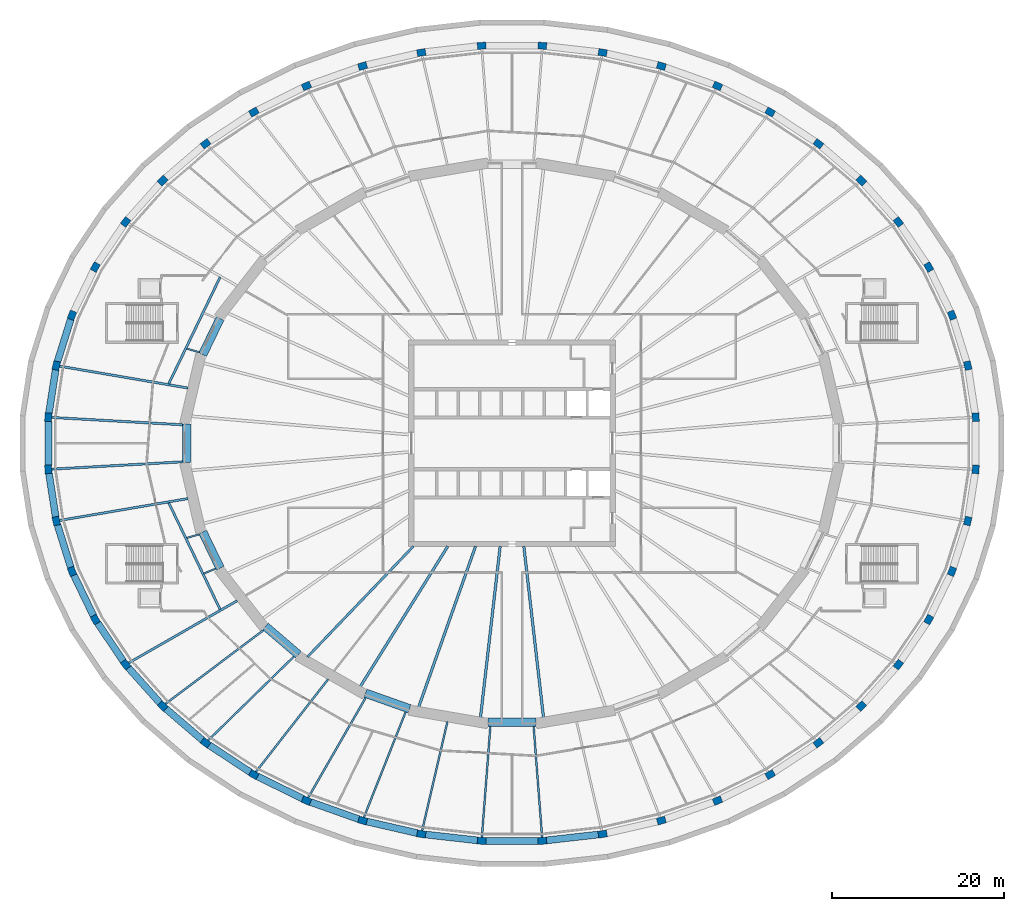
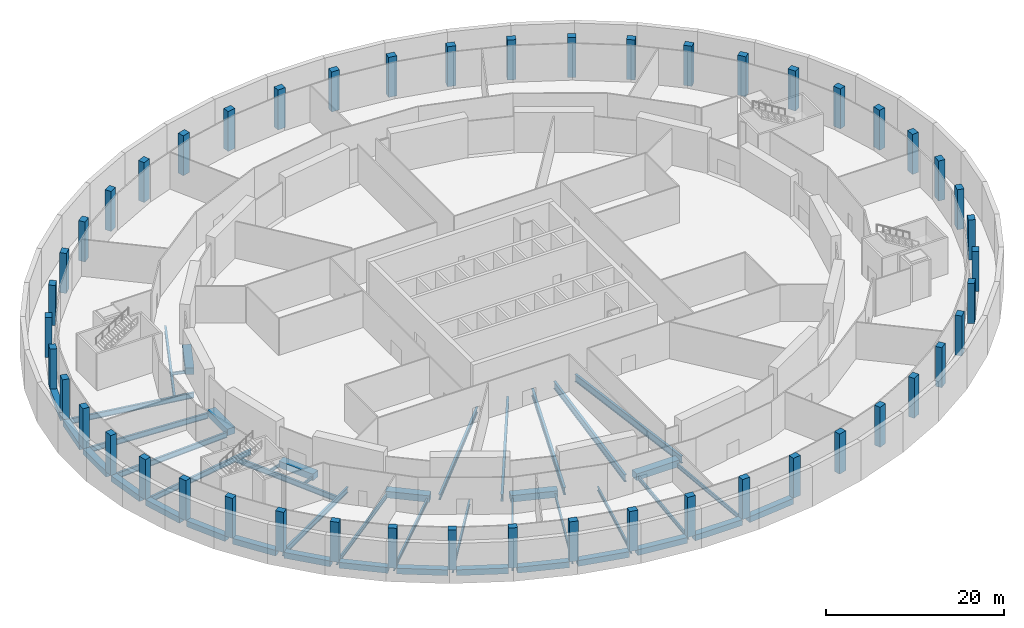
# One storey, part 1 of 14: 48 columns, 45 beams.
"""IFC4 building model written with IfcOpenShell, lengths in metres."""

from ifc_helpers import new_model, si_unit, direction, frame, origin, origin_2d, place, context, subcontext, project, spatial, rectangle, i_section, extrude, material, material_profile, profile_set, type_object, element, save


model = new_model("IFC4")

# Units and contexts
model_context = context("Model", 3, precision=1e-05, world=origin(), true_north=direction((0.0, 1.0)))
body_context = subcontext(model_context, "Body", "Model", "MODEL_VIEW")
ifc_project = project(units=[si_unit("LENGTHUNIT", "METRE"), si_unit("AREAUNIT", "SQUARE_METRE"), si_unit("VOLUMEUNIT", "CUBIC_METRE"), si_unit("PLANEANGLEUNIT", "RADIAN"), si_unit("MASSUNIT", "GRAM", prefix="KILO")], contexts=[model_context])

# Site, building, storey
site_placement = place(None, origin())
site = spatial("IfcSite", under=ifc_project, at=site_placement, CompositionType="ELEMENT")
building_placement = place(site_placement, origin())
building = spatial("IfcBuilding", under=site, at=building_placement, Name="Halqa Exchange Tower", CompositionType="ELEMENT")
storey_placement = place(building_placement, frame((0.0, 0.0, -9.5)))
storey = spatial("IfcBuildingStorey", under=building, at=storey_placement, Name="B2", CompositionType="ELEMENT", Elevation=-9.5)

# Columns
ifc_material_1 = material(Name="Concrete C60/75", Category="concrete")
ifc_material_profile_1 = material_profile(ifc_material_1, rectangle(XDim=1.0, YDim=0.800048828125, at=origin_2d()), Name="1000 x 800")
ifc_profile_set_1 = profile_set([ifc_material_profile_1], Name="Concrete C60/75")
column_type = type_object("IfcColumnType", Name="RC podium ring column 1000 x 800 C60/75", PredefinedType="COLUMN", material=ifc_profile_set_1)
for number, where, z_axis, x_axis, name in (
    (1, (53.884521484375, 3.0283203125, 0.0), (0.0, 0.0, 1.0), (-0.076223065836, 0.997090790367, 0.0), "Podium ring column 1"),
    (2, (52.96240234375, 9.03271484375, 0.0), (0.0, 0.0, 1.0), (-0.22599679145, 0.974128046129, 0.0), "Podium ring column 2"),
    (3, (51.13427734375, 14.882568359375, 0.0), (0.0, 0.0, 1.0), (-0.368109947744, 0.92978226826, 0.0), "Podium ring column 3"),
    (4, (48.43115234375, 20.47802734375, 0.0), (0.0, 0.0, 1.0), (-0.498569440634, 0.866849763723, 0.0), "Podium ring column 4"),
    (5, (44.8994140625, 25.722900390625, 0.0), (0.0, 0.0, 1.0), (-0.614691396063, 0.788767701929, 0.0), "Podium ring column 5"),
    (6, (40.599365234375, 30.527587890625, 0.0), (0.0, 0.0, 1.0), (-0.715039055588, 0.699084507755, 0.0), "Podium ring column 6"),
    (7, (35.604736328125, 34.810302734375, 0.0), (0.0, 0.0, 1.0), (-0.799260046694, 0.600985339055, 0.0), "Podium ring column 7"),
    (8, (30.000732421875, 38.4970703125, 0.0), (0.0, 0.0, 1.0), (-0.867693451459, 0.497099662336, 0.0), "Podium ring column 8"),
    (9, (23.883544921875, 41.525146484375, 0.0), (0.0, 0.0, 1.0), (-0.921048160137, 0.389448695861, 0.0), "Podium ring column 9"),
    (10, (17.357666015625, 43.843017578125, 0.0), (0.0, 0.0, 1.0), (-0.960157717988, 0.27945868494, 0.0), "Podium ring column 10"),
    (11, (10.534912109375, 45.410400390625, 0.0), (0.0, 0.0, 1.0), (-0.985766331194, 0.168121207122, 0.0), "Podium ring column 11"),
    (12, (3.53173828125, 46.200927734375, 0.0), (0.0, 0.0, 1.0), (-0.998424745269, 0.056107290394, 0.0), "Podium ring column 12"),
    (13, (-3.53173828125, 46.200927734375, 0.0), (0.0, 0.0, 1.0), (-0.998424745269, -0.056107290394, 0.0), "Podium ring column 13"),
    (14, (-10.534912109375, 45.410400390625, 0.0), (0.0, 0.0, 1.0), (-0.985766331194, -0.168121207122, 0.0), "Podium ring column 14"),
    (15, (-17.357666015625, 43.843017578125, 0.0), (0.0, 0.0, 1.0), (-0.960157717988, -0.27945868494, 0.0), "Podium ring column 15"),
    (16, (-23.883544921875, 41.525146484375, 0.0), (0.0, 0.0, 1.0), (-0.921048160137, -0.389448695861, 0.0), "Podium ring column 16"),
    (17, (-30.000732421875, 38.4970703125, 0.0), (0.0, 0.0, 1.0), (-0.867693451459, -0.497099662336, 0.0), "Podium ring column 17"),
    (18, (-35.604736328125, 34.810302734375, 0.0), (0.0, 0.0, 1.0), (-0.799260046694, -0.600985339055, 0.0), "Podium ring column 18"),
    (19, (-40.599365234375, 30.527587890625, 0.0), (0.0, 0.0, 1.0), (-0.715039055588, -0.699084507755, 0.0), "Podium ring column 19"),
    (20, (-44.8994140625, 25.722900390625, 0.0), (0.0, 0.0, 1.0), (-0.614691396063, -0.788767701929, 0.0), "Podium ring column 20"),
    (21, (-48.43115234375, 20.47802734375, 0.0), (0.0, 0.0, 1.0), (-0.498569440634, -0.866849763723, 0.0), "Podium ring column 21"),
    (22, (-51.13427734375, 14.882568359375, 0.0), (0.0, 0.0, 1.0), (-0.368109947744, -0.92978226826, 0.0), "Podium ring column 22"),
    (23, (-52.96240234375, 9.03271484375, 0.0), (0.0, 0.0, 1.0), (-0.22599679145, -0.974128046129, 0.0), "Podium ring column 23"),
    (24, (-53.884521484375, 3.0283203125, 0.0), (0.0, 0.0, 1.0), (-0.076223065836, -0.997090790367, 0.0), "Podium ring column 24"),
    (25, (-53.884521484375, -3.0283203125, 0.0), (0.0, 0.0, 1.0), (0.076223065836, -0.997090790367, 0.0), "Podium ring column 25"),
    (26, (-52.96240234375, -9.03271484375, 0.0), (0.0, 0.0, 1.0), (0.22599679145, -0.974128046129, 0.0), "Podium ring column 26"),
    (27, (-51.13427734375, -14.882568359375, 0.0), (0.0, 0.0, 1.0), (0.368109947744, -0.92978226826, 0.0), "Podium ring column 27"),
    (28, (-48.43115234375, -20.47802734375, 0.0), (0.0, 0.0, 1.0), (0.498569440634, -0.866849763723, 0.0), "Podium ring column 28"),
    (29, (-44.8994140625, -25.722900390625, 0.0), (0.0, 0.0, 1.0), (0.614691396063, -0.788767701929, 0.0), "Podium ring column 29"),
    (30, (-40.599365234375, -30.527587890625, 0.0), (0.0, 0.0, 1.0), (0.715039055588, -0.699084507755, 0.0), "Podium ring column 30"),
    (31, (-35.604736328125, -34.810302734375, 0.0), (0.0, 0.0, 1.0), (0.799260046694, -0.600985339055, 0.0), "Podium ring column 31"),
    (32, (-30.000732421875, -38.4970703125, 0.0), (0.0, 0.0, 1.0), (0.867693451459, -0.497099662336, 0.0), "Podium ring column 32"),
    (33, (-23.883544921875, -41.525146484375, 0.0), (0.0, 0.0, 1.0), (0.921048160137, -0.389448695861, 0.0), "Podium ring column 33"),
    (34, (-17.357666015625, -43.843017578125, 0.0), (0.0, 0.0, 1.0), (0.960157717988, -0.27945868494, 0.0), "Podium ring column 34"),
    (35, (-10.534912109375, -45.410400390625, 0.0), (0.0, 0.0, 1.0), (0.985766331194, -0.168121207122, 0.0), "Podium ring column 35"),
    (36, (-3.53173828125, -46.200927734375, 0.0), (0.0, 0.0, 1.0), (0.998424745269, -0.056107290394, 0.0), "Podium ring column 36"),
    (37, (3.53173828125, -46.200927734375, 0.0), (0.0, 0.0, 1.0), (0.998424745269, 0.056107290394, 0.0), "Podium ring column 37"),
    (38, (10.534912109375, -45.410400390625, 0.0), (0.0, 0.0, 1.0), (0.985766331194, 0.168121207122, 0.0), "Podium ring column 38"),
    (39, (17.357666015625, -43.843017578125, 0.0), (0.0, 0.0, 1.0), (0.960157717988, 0.27945868494, 0.0), "Podium ring column 39"),
    (40, (23.883544921875, -41.525146484375, 0.0), (0.0, 0.0, 1.0), (0.921048160137, 0.389448695861, 0.0), "Podium ring column 40"),
    (41, (30.000732421875, -38.4970703125, 0.0), (0.0, 0.0, 1.0), (0.867693451459, 0.497099662336, 0.0), "Podium ring column 41"),
    (42, (35.604736328125, -34.810302734375, 0.0), (0.0, 0.0, 1.0), (0.799260046694, 0.600985339055, 0.0), "Podium ring column 42"),
    (43, (40.599365234375, -30.527587890625, 0.0), (0.0, 0.0, 1.0), (0.715039055588, 0.699084507755, 0.0), "Podium ring column 43"),
    (44, (44.8994140625, -25.722900390625, 0.0), (0.0, 0.0, 1.0), (0.614691396063, 0.788767701929, 0.0), "Podium ring column 44"),
    (45, (48.43115234375, -20.47802734375, 0.0), (0.0, 0.0, 1.0), (0.498569440634, 0.866849763723, 0.0), "Podium ring column 45"),
    (46, (51.13427734375, -14.882568359375, 0.0), (0.0, 0.0, 1.0), (0.368109947744, 0.92978226826, 0.0), "Podium ring column 46"),
    (47, (52.96240234375, -9.03271484375, 0.0), (0.0, 0.0, 1.0), (0.22599679145, 0.974128046129, 0.0), "Podium ring column 47"),
    (48, (53.884521484375, -3.0283203125, 0.0), (0.0, 0.0, 1.0), (0.076223065836, 0.997090790367, 0.0), "Podium ring column 48"),
):
    element("IfcColumn", number, at=place(storey_placement, frame(where, z_axis=z_axis, x_axis=x_axis)), inside=storey, type_object=column_type, Name=name, PredefinedType="COLUMN", context=body_context, shape_type="SweptSolid", body=[
        extrude(rectangle(XDim=1.0, YDim=0.800048828125, at=origin_2d()), origin(), (0.0, 0.0, 1.0), 5.5),
    ])

# Beams
ifc_material_2 = material(Name="Steel S355", Category="steel")
ifc_material_profile_2 = material_profile(ifc_material_2, i_section(OverallWidth=0.300048828125, OverallDepth=0.989990234375, WebThickness=0.0166015625, FlangeThickness=0.031005859375, FilletRadius=0.030029296875, at=origin_2d()), Name="HEA 1000")
ifc_profile_set_2 = profile_set([ifc_material_profile_2], Name="Steel S355")
beam_type_1 = type_object("IfcBeamType", Name="Floor beam HEA 1000", PredefinedType="BEAM", material=ifc_profile_set_2)
beam_1_placement = place(storey_placement, frame((-7.46533203125, -11.971435546875, -0.844970703125), z_axis=(-0.529145823441, -0.848530905468, 0.0), x_axis=(0.848530905468, -0.529145823441, 0.0)))
element("IfcBeam", 49, at=beam_1_placement, inside=storey, type_object=beam_type_1, Name="Radial beam 22", PredefinedType="BEAM", context=body_context, shape_type="SweptSolid", body=[
    extrude(i_section(OverallWidth=0.300048828125, OverallDepth=0.989990234375, WebThickness=0.0166015625, FlangeThickness=0.031005859375, FilletRadius=0.030029296875, at=origin_2d()), origin(), (0.0, 0.0, 1.0), 19.27294921875),
])
ifc_material_profile_3 = material_profile(ifc_material_2, i_section(OverallWidth=0.300048828125, OverallDepth=1.0, WebThickness=0.01904296875, FlangeThickness=0.035888671875, FilletRadius=0.030029296875, at=origin_2d()), Name="HEB 1000")
ifc_profile_set_3 = profile_set([ifc_material_profile_3], Name="Steel S355")
beam_type_2 = type_object("IfcBeamType", Name="Floor beam HEB 1000", PredefinedType="BEAM", material=ifc_profile_set_3)
beam_2_placement = place(storey_placement, frame((-4.23681640625, -11.971923828125, -0.85009765625), z_axis=(-0.333633039334, -0.942703025913, 0.0), x_axis=(0.942703025913, -0.333633039334, 0.0)))
element("IfcBeam", 50, at=beam_2_placement, inside=storey, type_object=beam_type_2, Name="Radial beam 23", PredefinedType="BEAM", context=body_context, shape_type="SweptSolid", body=[
    extrude(i_section(OverallWidth=0.300048828125, OverallDepth=1.0, WebThickness=0.01904296875, FlangeThickness=0.035888671875, FilletRadius=0.030029296875, at=origin_2d()), origin(), (0.0, 0.0, 1.0), 19.885009765625),
])
for number, where, z_axis, x_axis, name in (
    (51, (-1.375732421875, -11.972900390625, -0.85009765625), (-0.114166838833, -0.99346159106, 0.0), (0.99346159106, -0.114166838833, 0.0), "Radial beam 24"),
    (52, (1.375732421875, -11.972900390625, -0.85009765625), (0.114166838833, -0.99346159106, 0.0), (0.99346159106, 0.114166838833, 0.0), "Radial beam 25"),
):
    element("IfcBeam", number, at=place(storey_placement, frame(where, z_axis=z_axis, x_axis=x_axis)), inside=storey, type_object=beam_type_2, Name=name, PredefinedType="BEAM", context=body_context, shape_type="SweptSolid", body=[
        extrude(i_section(OverallWidth=0.300048828125, OverallDepth=1.0, WebThickness=0.01904296875, FlangeThickness=0.035888671875, FilletRadius=0.030029296875, at=origin_2d()), origin(), (0.0, 0.0, 1.0), 20.103515625),
    ])
ifc_material_profile_4 = material_profile(ifc_material_2, i_section(OverallWidth=0.179931640625, OverallDepth=0.39990234375, WebThickness=0.008544921875, FlangeThickness=0.013427734375, FilletRadius=0.02099609375, at=origin_2d()), Name="IPE 400")
ifc_profile_set_4 = profile_set([ifc_material_profile_4], Name="Steel S355")
beam_type_3 = type_object("IfcBeamType", Name="Floor beam IPE 400", PredefinedType="BEAM", material=ifc_profile_set_4)
for number, where, z_axis, x_axis, name in (
    (53, (-36.34521484375, 10.578369140625, -0.550048828125), (-0.960174163417, 0.279402175917, 0.0), (-0.279402175917, -0.960174163417, 0.0), "Radial beam 22a"),
    (54, (-36.34521484375, -10.578369140625, -0.550048828125), (-0.960174163417, -0.279402175917, 0.0), (0.279402175917, -0.960174163417, 0.0), "Radial beam 27a"),
):
    element("IfcBeam", number, at=place(storey_placement, frame(where, z_axis=z_axis, x_axis=x_axis)), inside=storey, type_object=beam_type_3, Name=name, PredefinedType="BEAM", context=body_context, shape_type="SweptSolid", body=[
        extrude(i_section(OverallWidth=0.179931640625, OverallDepth=0.39990234375, WebThickness=0.008544921875, FlangeThickness=0.013427734375, FilletRadius=0.02099609375, at=origin_2d()), origin(), (0.0, 0.0, 1.0), 1.521240234375),
    ])
beam_3_placement = place(storey_placement, frame((-34.423583984375, -14.555419921875, -0.550048828125), z_axis=(-0.921076708702, -0.389381171459, 0.0), x_axis=(0.389381171459, -0.921076708702, 0.0)))
element("IfcBeam", 55, at=beam_3_placement, inside=storey, type_object=beam_type_3, Name="Radial beam 28a", PredefinedType="BEAM", context=body_context, shape_type="SweptSolid", body=[
    extrude(i_section(OverallWidth=0.179931640625, OverallDepth=0.39990234375, WebThickness=0.008544921875, FlangeThickness=0.013427734375, FilletRadius=0.02099609375, at=origin_2d()), origin(), (0.0, 0.0, 1.0), 1.5078125),
])
ifc_material_profile_5 = material_profile(ifc_material_2, i_section(OverallWidth=0.2099609375, OverallDepth=0.550048828125, WebThickness=0.010986328125, FlangeThickness=0.01708984375, FilletRadius=0.02392578125, at=origin_2d()), Name="IPE 550")
ifc_profile_set_5 = profile_set([ifc_material_profile_5], Name="Steel S355")
beam_type_4 = type_object("IfcBeamType", Name="Floor beam IPE 550", PredefinedType="BEAM", material=ifc_profile_set_5)
beam_4_placement = place(storey_placement, frame((-12.352294921875, -31.2001953125, -0.625), z_axis=(-0.368106640822, -0.929783577497, 0.0), x_axis=(0.929783577497, -0.368106640822, 0.0)))
element("IfcBeam", 56, at=beam_4_placement, inside=storey, type_object=beam_type_4, Name="Radial beam 34", PredefinedType="BEAM", context=body_context, shape_type="SweptSolid", body=[
    extrude(i_section(OverallWidth=0.2099609375, OverallDepth=0.550048828125, WebThickness=0.010986328125, FlangeThickness=0.01708984375, FilletRadius=0.02392578125, at=origin_2d()), origin(), (0.0, 0.0, 1.0), 13.22412109375),
])
beam_5_placement = place(storey_placement, frame((-7.5048828125, -32.35009765625, -0.625), z_axis=(-0.2259960959, -0.974128207495, 0.0), x_axis=(0.974128207495, -0.2259960959, 0.0)))
element("IfcBeam", 57, at=beam_5_placement, inside=storey, type_object=beam_type_4, Name="Radial beam 35", PredefinedType="BEAM", context=body_context, shape_type="SweptSolid", body=[
    extrude(i_section(OverallWidth=0.2099609375, OverallDepth=0.550048828125, WebThickness=0.010986328125, FlangeThickness=0.01708984375, FilletRadius=0.02392578125, at=origin_2d()), origin(), (0.0, 0.0, 1.0), 13.03466796875),
])
for number, where, z_axis, x_axis, name in (
    (58, (-2.513916015625, -32.88623046875, -0.625), (-0.076223337155, -0.997090769626, 0.0), (0.997090769626, -0.076223337155, 0.0), "Radial beam 36"),
    (59, (2.513916015625, -32.88623046875, -0.625), (0.076223337155, -0.997090769626, 0.0), (0.997090769626, 0.076223337155, 0.0), "Radial beam 37"),
):
    element("IfcBeam", number, at=place(storey_placement, frame(where, z_axis=z_axis, x_axis=x_axis)), inside=storey, type_object=beam_type_4, Name=name, PredefinedType="BEAM", context=body_context, shape_type="SweptSolid", body=[
        extrude(i_section(OverallWidth=0.2099609375, OverallDepth=0.550048828125, WebThickness=0.010986328125, FlangeThickness=0.01708984375, FilletRadius=0.02392578125, at=origin_2d()), origin(), (0.0, 0.0, 1.0), 12.981689453125),
    ])
ifc_material_profile_6 = material_profile(ifc_material_2, i_section(OverallWidth=0.219970703125, OverallDepth=0.60009765625, WebThickness=0.011962890625, FlangeThickness=0.01904296875, FilletRadius=0.02392578125, at=origin_2d()), Name="IPE 600")
ifc_profile_set_6 = profile_set([ifc_material_profile_6], Name="Steel S355")
beam_type_5 = type_object("IfcBeamType", Name="Floor beam IPE 600", PredefinedType="BEAM", material=ifc_profile_set_6)
beam_6_placement = place(storey_placement, frame((-28.875732421875, -21.71240234375, -0.64990234375), z_axis=(-0.799257291391, -0.600989003359, 0.0), x_axis=(0.600989003359, -0.799257291391, 0.0)))
element("IfcBeam", 60, at=beam_6_placement, inside=storey, type_object=beam_type_5, Name="Radial beam 30", PredefinedType="BEAM", context=body_context, shape_type="SweptSolid", body=[
    extrude(i_section(OverallWidth=0.219970703125, OverallDepth=0.60009765625, WebThickness=0.011962890625, FlangeThickness=0.01904296875, FilletRadius=0.02392578125, at=origin_2d()), origin(), (0.0, 0.0, 1.0), 14.291259765625),
])
beam_7_placement = place(storey_placement, frame((-25.322265625, -24.757080078125, -0.64990234375), z_axis=(-0.715038042334, -0.699085544133, 0.0), x_axis=(0.699085544133, -0.715038042334, 0.0)))
element("IfcBeam", 61, at=beam_7_placement, inside=storey, type_object=beam_type_5, Name="Radial beam 31", PredefinedType="BEAM", context=body_context, shape_type="SweptSolid", body=[
    extrude(i_section(OverallWidth=0.219970703125, OverallDepth=0.60009765625, WebThickness=0.011962890625, FlangeThickness=0.01904296875, FilletRadius=0.02392578125, at=origin_2d()), origin(), (0.0, 0.0, 1.0), 14.00341796875),
])
beam_8_placement = place(storey_placement, frame((-21.3603515625, -27.40966796875, -0.64990234375), z_axis=(-0.614701342153, -0.78875995078, 0.0), x_axis=(0.78875995078, -0.614701342153, 0.0)))
element("IfcBeam", 62, at=beam_8_placement, inside=storey, type_object=beam_type_5, Name="Radial beam 32", PredefinedType="BEAM", context=body_context, shape_type="SweptSolid", body=[
    extrude(i_section(OverallWidth=0.219970703125, OverallDepth=0.60009765625, WebThickness=0.011962890625, FlangeThickness=0.01904296875, FilletRadius=0.02392578125, at=origin_2d()), origin(), (0.0, 0.0, 1.0), 13.681396484375),
])
beam_9_placement = place(storey_placement, frame((-16.996826171875, -29.551513671875, -0.64990234375), z_axis=(-0.498570786865, -0.866848989435, 0.0), x_axis=(0.866848989435, -0.498570786865, 0.0)))
element("IfcBeam", 63, at=beam_9_placement, inside=storey, type_object=beam_type_5, Name="Radial beam 33", PredefinedType="BEAM", context=body_context, shape_type="SweptSolid", body=[
    extrude(i_section(OverallWidth=0.219970703125, OverallDepth=0.60009765625, WebThickness=0.011962890625, FlangeThickness=0.01904296875, FilletRadius=0.02392578125, at=origin_2d()), origin(), (0.0, 0.0, 1.0), 13.438720703125),
])
ifc_material_profile_7 = material_profile(ifc_material_2, i_section(OverallWidth=0.264892578125, OverallDepth=0.7529296875, WebThickness=0.01318359375, FlangeThickness=0.01708984375, FilletRadius=0.01708984375, at=origin_2d()), Name="IPE 750x147")
ifc_profile_set_7 = profile_set([ifc_material_profile_7], Name="Steel S355")
beam_type_6 = type_object("IfcBeamType", Name="Floor beam IPE 750x147", PredefinedType="BEAM", material=ifc_profile_set_7)
beam_10_placement = place(storey_placement, frame((-37.654296875, 6.421875, -0.7265625), z_axis=(-0.985764762639, 0.168130403968, 0.0), x_axis=(-0.168130403968, -0.985764762639, 0.0)))
element("IfcBeam", 64, at=beam_10_placement, inside=storey, type_object=beam_type_6, Name="Radial beam 23", PredefinedType="BEAM", context=body_context, shape_type="SweptSolid", body=[
    extrude(i_section(OverallWidth=0.264892578125, OverallDepth=0.7529296875, WebThickness=0.01318359375, FlangeThickness=0.01708984375, FilletRadius=0.01708984375, at=origin_2d()), origin(), (0.0, 0.0, 1.0), 15.156982421875),
])
for number, where, z_axis, x_axis, name in (
    (65, (-38.2880859375, 2.151611328125, -0.7265625), (-0.998424130563, 0.056118227964, 0.0), (-0.056118227964, -0.998424130563, 0.0), "Radial beam 24"),
    (66, (-38.2880859375, -2.151611328125, -0.7265625), (-0.998424130563, -0.056118227964, 0.0), (0.056118227964, -0.998424130563, 0.0), "Radial beam 25"),
):
    element("IfcBeam", number, at=place(storey_placement, frame(where, z_axis=z_axis, x_axis=x_axis)), inside=storey, type_object=beam_type_6, Name=name, PredefinedType="BEAM", context=body_context, shape_type="SweptSolid", body=[
        extrude(i_section(OverallWidth=0.264892578125, OverallDepth=0.7529296875, WebThickness=0.01318359375, FlangeThickness=0.01708984375, FilletRadius=0.01708984375, at=origin_2d()), origin(), (0.0, 0.0, 1.0), 15.248291015625),
    ])
beam_11_placement = place(storey_placement, frame((-37.654296875, -6.421875, -0.7265625), z_axis=(-0.985764762639, -0.168130403968, 0.0), x_axis=(0.168130403968, -0.985764762639, 0.0)))
element("IfcBeam", 67, at=beam_11_placement, inside=storey, type_object=beam_type_6, Name="Radial beam 26", PredefinedType="BEAM", context=body_context, shape_type="SweptSolid", body=[
    extrude(i_section(OverallWidth=0.264892578125, OverallDepth=0.7529296875, WebThickness=0.01318359375, FlangeThickness=0.01708984375, FilletRadius=0.01708984375, at=origin_2d()), origin(), (0.0, 0.0, 1.0), 15.156982421875),
])
beam_12_placement = place(storey_placement, frame((-31.942626953125, -18.300048828125, -0.7265625), z_axis=(-0.867691436398, -0.497103179633, 0.0), x_axis=(0.497103179633, -0.867691436398, 0.0)))
element("IfcBeam", 68, at=beam_12_placement, inside=storey, type_object=beam_type_6, Name="Radial beam 29", PredefinedType="BEAM", context=body_context, shape_type="SweptSolid", body=[
    extrude(i_section(OverallWidth=0.264892578125, OverallDepth=0.7529296875, WebThickness=0.01318359375, FlangeThickness=0.01708984375, FilletRadius=0.01708984375, at=origin_2d()), origin(), (0.0, 0.0, 1.0), 14.555908203125),
])
for number, where, z_axis, x_axis, name in (
    (69, (-33.92041015625, 19.3134765625, -0.7265625), (-0.433856142987, -0.900982156978, 0.0), (0.900982156978, -0.433856142987, 0.0), "Radial beam TSS3-in"),
    (70, (-39.89306640625, -6.91015625, -0.7265625), (0.433856142987, -0.900982156978, 0.0), (0.900982156978, 0.433856142987, 0.0), "Radial beam TSS4-in"),
):
    element("IfcBeam", number, at=place(storey_placement, frame(where, z_axis=z_axis, x_axis=x_axis)), inside=storey, type_object=beam_type_6, Name=name, PredefinedType="BEAM", context=body_context, shape_type="SweptSolid", body=[
        extrude(i_section(OverallWidth=0.264892578125, OverallDepth=0.7529296875, WebThickness=0.01318359375, FlangeThickness=0.01708984375, FilletRadius=0.01708984375, at=origin_2d()), origin(), (0.0, 0.0, 1.0), 13.766357421875),
    ])
ifc_material_profile_8 = material_profile(ifc_material_2, i_section(OverallWidth=0.26806640625, OverallDepth=0.77001953125, WebThickness=0.015625, FlangeThickness=0.025390625, FilletRadius=0.01708984375, at=origin_2d()), Name="IPE 750x196")
ifc_profile_set_8 = profile_set([ifc_material_profile_8], Name="Steel S355")
beam_type_7 = type_object("IfcBeamType", Name="Floor beam IPE 750x196", PredefinedType="BEAM", material=ifc_profile_set_8)
beam_13_placement = place(storey_placement, frame((-11.46240234375, -11.9716796875, -0.735107421875), z_axis=(-0.6915763718, -0.722303344841, 0.0), x_axis=(0.722303344841, -0.6915763718, 0.0)))
element("IfcBeam", 71, at=beam_13_placement, inside=storey, type_object=beam_type_7, Name="Radial beam 21", PredefinedType="BEAM", context=body_context, shape_type="SweptSolid", body=[
    extrude(i_section(OverallWidth=0.26806640625, OverallDepth=0.77001953125, WebThickness=0.015625, FlangeThickness=0.025390625, FilletRadius=0.01708984375, at=origin_2d()), origin(), (0.0, 0.0, 1.0), 17.7978515625),
])
ifc_material_profile_9 = material_profile(ifc_material_1, rectangle(XDim=0.800048828125, YDim=0.800048828125, at=origin_2d()), Name="800 x 800")
ifc_profile_set_9 = profile_set([ifc_material_profile_9], Name="Concrete C60/75")
beam_type_8 = type_object("IfcBeamType", Name="RC podium edge beam 800 x 800 C60/75", PredefinedType="SPANDREL", material=ifc_profile_set_9)
beam_14_placement = place(storey_placement, frame((-51.275390625, 14.430419921875, -0.39990234375), z_axis=(-0.298331338153, -0.954462368392, 0.0), x_axis=(0.954462368392, -0.298331338153, 0.0)))
element("IfcBeam", 72, at=beam_14_placement, inside=storey, type_object=beam_type_8, Name="Podium edge beam 22", PredefinedType="SPANDREL", context=body_context, shape_type="SweptSolid", body=[
    extrude(rectangle(XDim=0.800048828125, YDim=0.800048828125, at=origin_2d()), origin(), (0.0, 0.0, 1.0), 5.180908203125),
])
beam_15_placement = place(storey_placement, frame((-53.0341796875, 8.56591796875, -0.39990234375), z_axis=(-0.151767505705, -0.988416220128, 0.0), x_axis=(0.988416220128, -0.151767505705, 0.0)))
element("IfcBeam", 73, at=beam_15_placement, inside=storey, type_object=beam_type_8, Name="Podium edge beam 23", PredefinedType="SPANDREL", context=body_context, shape_type="SweptSolid", body=[
    extrude(rectangle(XDim=0.800048828125, YDim=0.800048828125, at=origin_2d()), origin(), (0.0, 0.0, 1.0), 5.1298828125),
])
beam_16_placement = place(storey_placement, frame((-53.884521484375, 2.5556640625, -0.39990234375), z_axis=(0.0, -1.0, 0.0), x_axis=(1.0, 0.0, 0.0)))
element("IfcBeam", 74, at=beam_16_placement, inside=storey, type_object=beam_type_8, Name="Podium edge beam 24", PredefinedType="SPANDREL", context=body_context, shape_type="SweptSolid", body=[
    extrude(rectangle(XDim=0.800048828125, YDim=0.800048828125, at=origin_2d()), origin(), (0.0, 0.0, 1.0), 5.111328125),
])
beam_17_placement = place(storey_placement, frame((-53.812744140625, -3.495361328125, -0.39990234375), z_axis=(0.151767505705, -0.988416220128, 0.0), x_axis=(0.988416220128, 0.151767505705, 0.0)))
element("IfcBeam", 75, at=beam_17_placement, inside=storey, type_object=beam_type_8, Name="Podium edge beam 25", PredefinedType="SPANDREL", context=body_context, shape_type="SweptSolid", body=[
    extrude(rectangle(XDim=0.800048828125, YDim=0.800048828125, at=origin_2d()), origin(), (0.0, 0.0, 1.0), 5.1298828125),
])
beam_18_placement = place(storey_placement, frame((-52.821044921875, -9.4853515625, -0.39990234375), z_axis=(0.298331338153, -0.954462368392, 0.0), x_axis=(0.954462368392, 0.298331338153, 0.0)))
element("IfcBeam", 76, at=beam_18_placement, inside=storey, type_object=beam_type_8, Name="Podium edge beam 26", PredefinedType="SPANDREL", context=body_context, shape_type="SweptSolid", body=[
    extrude(rectangle(XDim=0.800048828125, YDim=0.800048828125, at=origin_2d()), origin(), (0.0, 0.0, 1.0), 5.180908203125),
])
beam_19_placement = place(storey_placement, frame((-50.92822265625, -15.308837890625, -0.39990234375), z_axis=(0.43497328232, -0.9004433595, 0.0), x_axis=(0.9004433595, 0.43497328232, 0.0)))
element("IfcBeam", 77, at=beam_19_placement, inside=storey, type_object=beam_type_8, Name="Podium edge beam 27", PredefinedType="SPANDREL", context=body_context, shape_type="SweptSolid", body=[
    extrude(rectangle(XDim=0.800048828125, YDim=0.800048828125, at=origin_2d()), origin(), (0.0, 0.0, 1.0), 5.267578125),
])
beam_20_placement = place(storey_placement, frame((-48.1669921875, -20.8701171875, -0.39990234375), z_axis=(0.558528358221, -0.829485426673, 0.0), x_axis=(0.829485426673, 0.558528358221, 0.0)))
element("IfcBeam", 78, at=beam_20_placement, inside=storey, type_object=beam_type_8, Name="Podium edge beam 28", PredefinedType="SPANDREL", context=body_context, shape_type="SweptSolid", body=[
    extrude(rectangle(XDim=0.800048828125, YDim=0.800048828125, at=origin_2d()), origin(), (0.0, 0.0, 1.0), 5.378173828125),
])
beam_21_placement = place(storey_placement, frame((-44.58349609375, -26.075927734375, -0.39990234375), z_axis=(0.666902525907, -0.745144966392, 0.0), x_axis=(0.745144966392, 0.666902525907, 0.0)))
element("IfcBeam", 79, at=beam_21_placement, inside=storey, type_object=beam_type_8, Name="Podium edge beam 29", PredefinedType="SPANDREL", context=body_context, shape_type="SweptSolid", body=[
    extrude(rectangle(XDim=0.800048828125, YDim=0.800048828125, at=origin_2d()), origin(), (0.0, 0.0, 1.0), 5.501220703125),
])
beam_22_placement = place(storey_placement, frame((-40.240478515625, -30.83544921875, -0.39990234375), z_axis=(0.759174010844, -0.650887717859, 0.0), x_axis=(0.650887717859, 0.759174010844, 0.0)))
element("IfcBeam", 80, at=beam_22_placement, inside=storey, type_object=beam_type_8, Name="Podium edge beam 30", PredefinedType="SPANDREL", context=body_context, shape_type="SweptSolid", body=[
    extrude(rectangle(XDim=0.800048828125, YDim=0.800048828125, at=origin_2d()), origin(), (0.0, 0.0, 1.0), 5.63427734375),
])
beam_23_placement = place(storey_placement, frame((-35.208984375, -35.070556640625, -0.39990234375), z_axis=(0.835418618456, -0.549614166426, 0.0), x_axis=(0.549614166426, 0.835418618456, 0.0)))
element("IfcBeam", 81, at=beam_23_placement, inside=storey, type_object=beam_type_8, Name="Podium edge beam 31", PredefinedType="SPANDREL", context=body_context, shape_type="SweptSolid", body=[
    extrude(rectangle(XDim=0.800048828125, YDim=0.800048828125, at=origin_2d()), origin(), (0.0, 0.0, 1.0), 5.760986328125),
])
beam_24_placement = place(storey_placement, frame((-29.576904296875, -38.706787109375, -0.39990234375), z_axis=(0.896205416004, -0.443639326847, 0.0), x_axis=(0.443639326847, 0.896205416004, 0.0)))
element("IfcBeam", 82, at=beam_24_placement, inside=storey, type_object=beam_type_8, Name="Podium edge beam 32", PredefinedType="SPANDREL", context=body_context, shape_type="SweptSolid", body=[
    extrude(rectangle(XDim=0.800048828125, YDim=0.800048828125, at=origin_2d()), origin(), (0.0, 0.0, 1.0), 5.880126953125),
])
beam_25_placement = place(storey_placement, frame((-23.4384765625, -41.683349609375, -0.39990234375), z_axis=(0.942343471221, -0.334647250469, 0.0), x_axis=(0.334647250469, 0.942343471221, 0.0)))
element("IfcBeam", 83, at=beam_25_placement, inside=storey, type_object=beam_type_8, Name="Podium edge beam 33", PredefinedType="SPANDREL", context=body_context, shape_type="SweptSolid", body=[
    extrude(rectangle(XDim=0.800048828125, YDim=0.800048828125, at=origin_2d()), origin(), (0.0, 0.0, 1.0), 5.980712890625),
])
beam_26_placement = place(storey_placement, frame((-16.89794921875, -43.948486328125, -0.39990234375), z_axis=(0.974604133477, -0.223934774008, 0.0), x_axis=(0.223934774008, 0.974604133477, 0.0)))
element("IfcBeam", 84, at=beam_26_placement, inside=storey, type_object=beam_type_8, Name="Podium edge beam 34", PredefinedType="SPANDREL", context=body_context, shape_type="SweptSolid", body=[
    extrude(rectangle(XDim=0.800048828125, YDim=0.800048828125, at=origin_2d()), origin(), (0.0, 0.0, 1.0), 6.05517578125),
])
beam_27_placement = place(storey_placement, frame((-10.064453125, -45.46337890625, -0.39990234375), z_axis=(0.993688954696, -0.112170679393, 0.0), x_axis=(0.112170679393, 0.993688954696, 0.0)))
element("IfcBeam", 85, at=beam_27_placement, inside=storey, type_object=beam_type_8, Name="Podium edge beam 35", PredefinedType="SPANDREL", context=body_context, shape_type="SweptSolid", body=[
    extrude(rectangle(XDim=0.800048828125, YDim=0.800048828125, at=origin_2d()), origin(), (0.0, 0.0, 1.0), 6.100830078125),
])
beam_28_placement = place(storey_placement, frame((-3.05859375, -46.200927734375, -0.39990234375), z_axis=(1.0, 0.0, 0.0), x_axis=(0.0, 1.0, 0.0)))
element("IfcBeam", 86, at=beam_28_placement, inside=storey, type_object=beam_type_8, Name="Podium edge beam 36", PredefinedType="SPANDREL", context=body_context, shape_type="SweptSolid", body=[
    extrude(rectangle(XDim=0.800048828125, YDim=0.800048828125, at=origin_2d()), origin(), (0.0, 0.0, 1.0), 6.1171875),
])
beam_29_placement = place(storey_placement, frame((4.002197265625, -46.147705078125, -0.39990234375), z_axis=(0.993688954696, 0.112170679393, 0.0), x_axis=(-0.112170679393, 0.993688954696, 0.0)))
element("IfcBeam", 87, at=beam_29_placement, inside=storey, type_object=beam_type_8, Name="Podium edge beam 37", PredefinedType="SPANDREL", context=body_context, shape_type="SweptSolid", body=[
    extrude(rectangle(XDim=0.800048828125, YDim=0.800048828125, at=origin_2d()), origin(), (0.0, 0.0, 1.0), 6.100830078125),
])
ifc_material_profile_10 = material_profile(ifc_material_1, rectangle(XDim=1.0, YDim=0.89990234375, at=origin_2d()), Name="1000 x 900")
ifc_profile_set_10 = profile_set([ifc_material_profile_10], Name="Concrete C60/75")
beam_type_9 = type_object("IfcBeamType", Name="RC spandrel beam 1000 x 900 C60/75", PredefinedType="SPANDREL", material=ifc_profile_set_10)
beam_30_placement = place(storey_placement, frame((-33.923095703125, 14.505615234375, -0.449951171875), z_axis=(-0.435068215878, -0.900397494184, 0.0), x_axis=(0.900397494184, -0.435068215878, 0.0)))
element("IfcBeam", 88, at=beam_30_placement, inside=storey, type_object=beam_type_9, Name="Spandrel 14", PredefinedType="SPANDREL", context=body_context, shape_type="SweptSolid", body=[
    extrude(rectangle(XDim=1.0, YDim=0.89990234375, at=origin_2d()), origin(), (0.0, 0.0, 1.0), 4.6630859375),
])
beam_31_placement = place(storey_placement, frame((-37.81689453125, 2.24609375, -0.449951171875), z_axis=(0.0, -1.0, 0.0), x_axis=(1.0, 0.0, 0.0)))
element("IfcBeam", 89, at=beam_31_placement, inside=storey, type_object=beam_type_9, Name="Spandrel 16", PredefinedType="SPANDREL", context=body_context, shape_type="SweptSolid", body=[
    extrude(rectangle(XDim=1.0, YDim=0.89990234375, at=origin_2d()), origin(), (0.0, 0.0, 1.0), 4.4921875),
])
beam_32_placement = place(storey_placement, frame((-35.951904296875, -10.306884765625, -0.449951171875), z_axis=(0.435068215878, -0.900397494184, 0.0), x_axis=(0.900397494184, 0.435068215878, 0.0)))
element("IfcBeam", 90, at=beam_32_placement, inside=storey, type_object=beam_type_9, Name="Spandrel 18", PredefinedType="SPANDREL", context=body_context, shape_type="SweptSolid", body=[
    extrude(rectangle(XDim=1.0, YDim=0.89990234375, at=origin_2d()), origin(), (0.0, 0.0, 1.0), 4.6630859375),
])
beam_33_placement = place(storey_placement, frame((-28.659423828125, -21.27587890625, -0.449951171875), z_axis=(0.759263417999, -0.650783421799, 0.0), x_axis=(0.650783421799, 0.759263417999, 0.0)))
element("IfcBeam", 91, at=beam_33_placement, inside=storey, type_object=beam_type_9, Name="Spandrel 20", PredefinedType="SPANDREL", context=body_context, shape_type="SweptSolid", body=[
    extrude(rectangle(XDim=1.0, YDim=0.89990234375, at=origin_2d()), origin(), (0.0, 0.0, 1.0), 5.056884765625),
])
beam_34_placement = place(storey_placement, frame((-17.030029296875, -29.038818359375, -0.449951171875), z_axis=(0.942357788657, -0.334606930826, 0.0), x_axis=(0.334606930826, 0.942357788657, 0.0)))
element("IfcBeam", 92, at=beam_34_placement, inside=storey, type_object=beam_type_9, Name="Spandrel 22", PredefinedType="SPANDREL", context=body_context, shape_type="SweptSolid", body=[
    extrude(rectangle(XDim=1.0, YDim=0.89990234375, at=origin_2d()), origin(), (0.0, 0.0, 1.0), 5.429931640625),
])
beam_35_placement = place(storey_placement, frame((-2.789794921875, -32.41455078125, -0.449951171875), z_axis=(1.0, 0.0, 0.0), x_axis=(0.0, 1.0, 0.0)))
element("IfcBeam", 93, at=beam_35_placement, inside=storey, type_object=beam_type_9, Name="Spandrel 24", PredefinedType="SPANDREL", context=body_context, shape_type="SweptSolid", body=[
    extrude(rectangle(XDim=1.0, YDim=0.89990234375, at=origin_2d()), origin(), (0.0, 0.0, 1.0), 5.57958984375),
])

save(model, "model.ifc")
